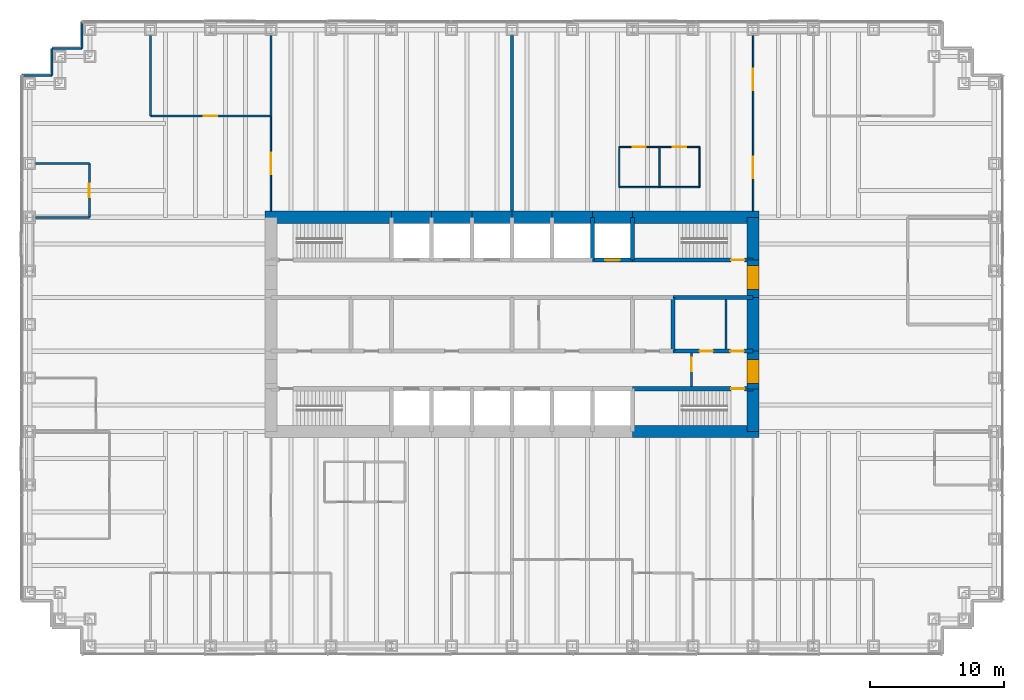
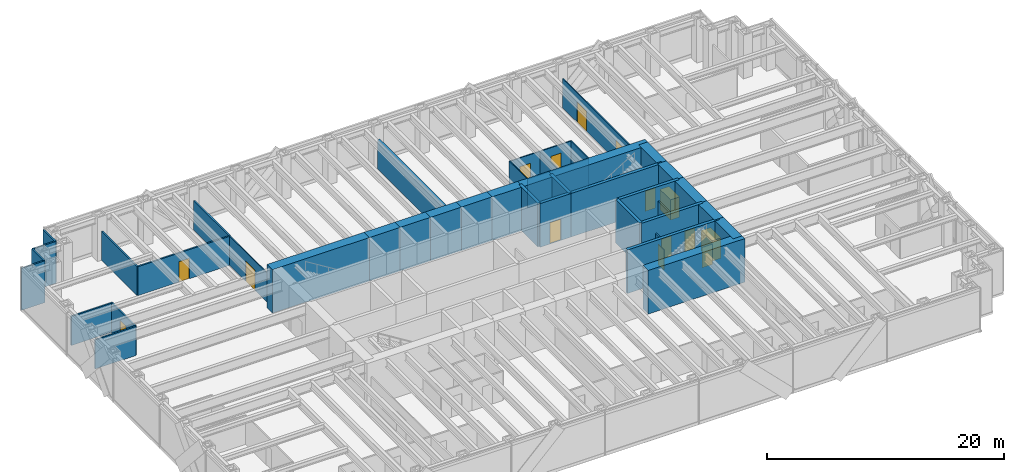
# One storey, part 11 of 13: 42 walls, 15 doors, 15 openings.
"""IFC4 building model written with IfcOpenShell, lengths in metres."""

from ifc_helpers import new_model, si_unit, direction, frame, frame_2d, origin, place, context, subcontext, project, spatial, rectangle, extrude, material, layer, layer_set, type_object, element, fill, save


model = new_model("IFC4")

# Units and contexts
model_context = context("Model", 3, precision=1e-05, world=origin(), true_north=direction((0.0, 1.0)))
body_context = subcontext(model_context, "Body", "Model", "MODEL_VIEW")
ifc_project = project(units=[si_unit("LENGTHUNIT", "METRE"), si_unit("AREAUNIT", "SQUARE_METRE"), si_unit("VOLUMEUNIT", "CUBIC_METRE"), si_unit("PLANEANGLEUNIT", "RADIAN"), si_unit("MASSUNIT", "GRAM", prefix="KILO")], contexts=[model_context])

# Site, building, storey
site_placement = place(None, origin())
site = spatial("IfcSite", under=ifc_project, at=site_placement, CompositionType="ELEMENT")
building_placement = place(site_placement, origin())
building = spatial("IfcBuilding", under=site, at=building_placement, Name="Rheinbord Bourse Tower", CompositionType="ELEMENT")
storey_placement = place(building_placement, frame((0.0, 0.0, 50.0)))
storey = spatial("IfcBuildingStorey", under=building, at=storey_placement, Name="L10", CompositionType="ELEMENT", Elevation=50.0)

# Wall, opening, door
ifc_material_1 = material(Name="Concrete C50/60", Category="concrete")
ifc_layer_1 = layer(ifc_material_1, 0.300048828125)
ifc_layer_set_1 = layer_set([ifc_layer_1], Name="CORE INNER WALL 300")
wall_type_1 = type_object("IfcWallType", Name="CORE INNER WALL 300", PredefinedType="SOLIDWALL", material=ifc_layer_set_1)
wall_1_placement = place(storey_placement, frame((45.0, 19.199951171875, 0.0), z_axis=(0.0, 0.0, 1.0), x_axis=(1.0, 0.0, 0.0)))
wall_1 = element("IfcWall", 1, at=wall_1_placement, inside=storey, type_object=wall_type_1, Name="Core wall A8 L10", PredefinedType="SOLIDWALL", context=body_context, shape_type="SweptSolid", body=[
    extrude(rectangle(XDim=9.0, YDim=0.300048828125, at=frame_2d((4.5, 0.0))), origin(), (0.0, 0.0, 1.0), 4.5),
])
opening_1_placement = place(wall_1_placement, frame((7.35009765625, 0.0, 0.0)))
opening_1 = element("IfcOpeningElement", 2, at=opening_1_placement, cuts=wall_1, Name="Opening 1030", PredefinedType="OPENING", context=body_context, shape_type="SweptSolid", body=[
    extrude(rectangle(XDim=1.0, YDim=2.10009765625, at=frame_2d((0.5, 1.050048828125))), frame((0.0, 0.159912109375, 0.0), z_axis=(0.0, -1.0, 0.0), x_axis=(1.0, 0.0, 0.0)), (0.0, 0.0, 1.0), 0.320068359375),
])
ifc_material_2 = material(Name="Steel door", Category="steel")
door_type_1 = type_object("IfcDoorType", Name="DOOR 1000 EI30", OperationType="SINGLE_SWING_LEFT", PredefinedType="DOOR", material=ifc_material_2)
door_1_placement = place(opening_1_placement, origin())
door_1 = element("IfcDoor", 3, at=door_1_placement, inside=storey, type_object=door_type_1, Name="Stair door ST3 L10", OperationType="SINGLE_SWING_RIGHT", OverallHeight=2.10009765625, OverallWidth=1.0, PredefinedType="DOOR", context=body_context, shape_type="SweptSolid", body=[
    extrude(rectangle(XDim=1.0, YDim=2.10009765625, at=frame_2d((0.5, 1.050048828125))), frame((0.0, 0.02490234375, 0.0), z_axis=(0.0, -1.0, 0.0), x_axis=(1.0, 0.0, 0.0)), (0.0, 0.0, 1.0), 0.050048828125),
])
fill(opening_1, door_1)

wall_2_placement = place(storey_placement, frame((42.0, 28.800048828125, 0.0), z_axis=(0.0, 0.0, 1.0), x_axis=(1.0, 0.0, 0.0)))
wall_2 = element("IfcWall", 4, at=wall_2_placement, inside=storey, type_object=wall_type_1, Name="Core wall B7 L10", PredefinedType="SOLIDWALL", context=body_context, shape_type="SweptSolid", body=[
    extrude(rectangle(XDim=3.0, YDim=0.300048828125, at=frame_2d((1.5, 0.0))), origin(), (0.0, 0.0, 1.0), 4.5),
])
opening_2_placement = place(wall_2_placement, frame((0.949951171875, 0.0, 0.0)))
opening_2 = element("IfcOpeningElement", 5, at=opening_2_placement, cuts=wall_2, Name="Opening FL2", PredefinedType="OPENING", context=body_context, shape_type="SweptSolid", body=[
    extrude(rectangle(XDim=1.10009765625, YDim=2.199951171875, at=frame_2d((0.550048828125, 1.10009765625))), frame((0.0, 0.159912109375, 0.0), z_axis=(0.0, -1.0, 0.0), x_axis=(1.0, 0.0, 0.0)), (0.0, 0.0, 1.0), 0.320068359375),
])
ifc_material_3 = material(Name="Steel landing door", Category="steel")
door_type_2 = type_object("IfcDoorType", Name="LIFT LANDING DOOR 1100", OperationType="DOUBLE_DOOR_SLIDING", PredefinedType="USERDEFINED", material=ifc_material_3)
door_2_placement = place(opening_2_placement, origin())
door_2 = element("IfcDoor", 6, at=door_2_placement, inside=storey, type_object=door_type_2, Name="Lift landing door FL2 L10", ObjectType="LIFT LANDING DOOR", OperationType="DOUBLE_DOOR_SLIDING", OverallHeight=2.199951171875, OverallWidth=1.10009765625, PredefinedType="USERDEFINED", context=body_context, shape_type="SweptSolid", body=[
    extrude(rectangle(XDim=1.10009765625, YDim=2.199951171875, at=frame_2d((0.550048828125, 1.10009765625))), frame((0.0, 0.02490234375, 0.0), z_axis=(0.0, -1.0, 0.0), x_axis=(1.0, 0.0, 0.0)), (0.0, 0.0, 1.0), 0.050048828125),
])
fill(opening_2, door_2)

wall_3_placement = place(storey_placement, frame((45.0, 28.800048828125, 0.0), z_axis=(0.0, 0.0, 1.0), x_axis=(1.0, 0.0, 0.0)))
wall_3 = element("IfcWall", 7, at=wall_3_placement, inside=storey, type_object=wall_type_1, Name="Core wall B8 L10", PredefinedType="SOLIDWALL", context=body_context, shape_type="SweptSolid", body=[
    extrude(rectangle(XDim=9.0, YDim=0.300048828125, at=frame_2d((4.5, 0.0))), origin(), (0.0, 0.0, 1.0), 4.5),
])
opening_3_placement = place(wall_3_placement, frame((7.35009765625, 0.0, 0.0)))
opening_3 = element("IfcOpeningElement", 8, at=opening_3_placement, cuts=wall_3, Name="Opening 1040", PredefinedType="OPENING", context=body_context, shape_type="SweptSolid", body=[
    extrude(rectangle(XDim=1.0, YDim=2.10009765625, at=frame_2d((0.5, 1.050048828125))), frame((0.0, 0.159912109375, 0.0), z_axis=(0.0, -1.0, 0.0), x_axis=(1.0, 0.0, 0.0)), (0.0, 0.0, 1.0), 0.320068359375),
])
door_3_placement = place(opening_3_placement, origin())
door_3 = element("IfcDoor", 9, at=door_3_placement, inside=storey, type_object=door_type_1, Name="Stair door ST4 L10", OperationType="SINGLE_SWING_RIGHT", OverallHeight=2.10009765625, OverallWidth=1.0, PredefinedType="DOOR", context=body_context, shape_type="SweptSolid", body=[
    extrude(rectangle(XDim=1.0, YDim=2.10009765625, at=frame_2d((0.5, 1.050048828125))), frame((0.0, 0.02490234375, 0.0), z_axis=(0.0, -1.0, 0.0), x_axis=(1.0, 0.0, 0.0)), (0.0, 0.0, 1.0), 0.050048828125),
])
fill(opening_3, door_3)

# Wall, openings, doors
wall_4_placement = place(storey_placement, frame((48.0, 22.0, 0.0), z_axis=(0.0, 0.0, 1.0), x_axis=(1.0, 0.0, 0.0)))
wall_4 = element("IfcWall", 10, at=wall_4_placement, inside=storey, type_object=wall_type_1, Name="Core wall C6 L10", PredefinedType="SOLIDWALL", context=body_context, shape_type="SweptSolid", body=[
    extrude(rectangle(XDim=6.0, YDim=0.300048828125, at=frame_2d((3.0, 0.0))), origin(), (0.0, 0.0, 1.0), 4.5),
])
opening_4_placement = place(wall_4_placement, frame((2.0, 0.0, 0.0)))
opening_4 = element("IfcOpeningElement", 11, at=opening_4_placement, cuts=wall_4, Name="Opening 10R6", PredefinedType="OPENING", context=body_context, shape_type="SweptSolid", body=[
    extrude(rectangle(XDim=1.0, YDim=2.10009765625, at=frame_2d((0.5, 1.050048828125))), frame((0.0, 0.159912109375, 0.0), z_axis=(0.0, -1.0, 0.0), x_axis=(1.0, 0.0, 0.0)), (0.0, 0.0, 1.0), 0.320068359375),
])
opening_5_placement = place(wall_4_placement, frame((4.300048828125, 0.0, 0.0)))
opening_5 = element("IfcOpeningElement", 12, at=opening_5_placement, cuts=wall_4, Name="Opening 10R10", PredefinedType="OPENING", context=body_context, shape_type="SweptSolid", body=[
    extrude(rectangle(XDim=1.0, YDim=2.10009765625, at=frame_2d((0.5, 1.050048828125))), frame((0.0, 0.159912109375, 0.0), z_axis=(0.0, -1.0, 0.0), x_axis=(1.0, 0.0, 0.0)), (0.0, 0.0, 1.0), 0.320068359375),
])
door_4_placement = place(opening_5_placement, origin())
door_4 = element("IfcDoor", 13, at=door_4_placement, inside=storey, type_object=door_type_1, Name="Cleaner's store door L10", OperationType="SINGLE_SWING_RIGHT", OverallHeight=2.10009765625, OverallWidth=1.0, PredefinedType="DOOR", context=body_context, shape_type="SweptSolid", body=[
    extrude(rectangle(XDim=1.0, YDim=2.10009765625, at=frame_2d((0.5, 1.050048828125))), frame((0.0, 0.02490234375, 0.0), z_axis=(0.0, -1.0, 0.0), x_axis=(1.0, 0.0, 0.0)), (0.0, 0.0, 1.0), 0.050048828125),
])
fill(opening_5, door_4)
ifc_material_4 = material(Name="Timber door", Category="wood")
door_type_3 = type_object("IfcDoorType", Name="DOOR 1000 WC", OperationType="SINGLE_SWING_LEFT", PredefinedType="DOOR", material=ifc_material_4)
door_5_placement = place(opening_4_placement, origin())
door_5 = element("IfcDoor", 14, at=door_5_placement, inside=storey, type_object=door_type_3, Name="WC women door L10", OperationType="SINGLE_SWING_LEFT", OverallHeight=2.10009765625, OverallWidth=1.0, PredefinedType="DOOR", context=body_context, shape_type="SweptSolid", body=[
    extrude(rectangle(XDim=1.0, YDim=2.10009765625, at=frame_2d((0.5, 1.050048828125))), frame((0.0, 0.02490234375, 0.0), z_axis=(0.0, -1.0, 0.0), x_axis=(1.0, 0.0, 0.0)), (0.0, 0.0, 1.0), 0.050048828125),
])
fill(opening_4, door_5)

# Walls
wall_5_placement = place(storey_placement, frame((48.0, 26.0, 0.0), z_axis=(0.0, 0.0, 1.0), x_axis=(1.0, 0.0, 0.0)))
element("IfcWall", 15, at=wall_5_placement, inside=storey, type_object=wall_type_1, Name="Core wall D6 L10", PredefinedType="SOLIDWALL", context=body_context, shape_type="SweptSolid", body=[
    extrude(rectangle(XDim=6.0, YDim=0.300048828125, at=frame_2d((3.0, 0.0))), origin(), (0.0, 0.0, 1.0), 4.5),
])
for number, where, z_axis, x_axis, name in (
    (16, (42.0, 28.800048828125, 0.0), (0.0, 0.0, 1.0), (0.0, 1.0, 0.0), "Core wall NX42 L10"),
    (17, (45.0, 28.800048828125, 0.0), (0.0, 0.0, 1.0), (0.0, 1.0, 0.0), "Core wall NX45 L10"),
):
    element("IfcWall", number, at=place(storey_placement, frame(where, z_axis=z_axis, x_axis=x_axis)), inside=storey, type_object=wall_type_1, Name=name, PredefinedType="SOLIDWALL", context=body_context, shape_type="SweptSolid", body=[
        extrude(rectangle(XDim=3.199951171875, YDim=0.300048828125, at=frame_2d((1.60009765625, 0.0))), origin(), (0.0, 0.0, 1.0), 4.5),
    ])
wall_6_placement = place(storey_placement, frame((48.0, 22.0, 0.0), z_axis=(0.0, 0.0, 1.0), x_axis=(0.0, 1.0, 0.0)))
element("IfcWall", 18, at=wall_6_placement, inside=storey, type_object=wall_type_1, Name="Core wall MX48 L10", PredefinedType="SOLIDWALL", context=body_context, shape_type="SweptSolid", body=[
    extrude(rectangle(XDim=4.0, YDim=0.300048828125, at=frame_2d((2.0, 0.0))), origin(), (0.0, 0.0, 1.0), 4.5),
])
ifc_material_5 = material(Name="Gypsum board fire partition", Category="gypsum board")
ifc_layer_2 = layer(ifc_material_5, 0.14990234375)
ifc_layer_set_2 = layer_set([ifc_layer_2], Name="CORE PARTITION 150 EI30")
wall_type_2 = type_object("IfcWallType", Name="CORE PARTITION 150 EI30", PredefinedType="PARTITIONING", material=ifc_layer_set_2)
wall_7_placement = place(storey_placement, frame((51.97509765625, 22.14990234375, 0.0), z_axis=(0.0, 0.0, 1.0), x_axis=(0.0, 1.0, 0.0)))
element("IfcWall", 19, at=wall_7_placement, inside=storey, type_object=wall_type_2, Name="Core partition L10-3", PredefinedType="PARTITIONING", context=body_context, shape_type="SweptSolid", body=[
    extrude(rectangle(XDim=3.7001953125, YDim=0.14990234375, at=frame_2d((1.85009765625, 0.0))), origin(), (0.0, 0.0, 1.0), 3.0),
])

# Wall, opening, door
wall_8_placement = place(storey_placement, frame((49.39990234375, 19.35009765625, 0.0), z_axis=(0.0, 0.0, 1.0), x_axis=(0.0, 1.0, 0.0)))
wall_8 = element("IfcWall", 20, at=wall_8_placement, inside=storey, type_object=wall_type_2, Name="Core partition L10-4", PredefinedType="PARTITIONING", context=body_context, shape_type="SweptSolid", body=[
    extrude(rectangle(XDim=2.5, YDim=0.14990234375, at=frame_2d((1.25, 0.0))), origin(), (0.0, 0.0, 1.0), 3.0),
])
opening_6_placement = place(wall_8_placement, frame((1.14990234375, 0.0, 0.0)))
opening_6 = element("IfcOpeningElement", 21, at=opening_6_placement, cuts=wall_8, Name="Opening 10L5", PredefinedType="OPENING", context=body_context, shape_type="SweptSolid", body=[
    extrude(rectangle(XDim=1.0, YDim=2.10009765625, at=frame_2d((0.5, 1.050048828125))), frame((0.0, 0.0849609375, 0.0), z_axis=(0.0, -1.0, 0.0), x_axis=(1.0, 0.0, 0.0)), (0.0, 0.0, 1.0), 0.169921875),
])
door_6_placement = place(opening_6_placement, origin())
door_6 = element("IfcDoor", 22, at=door_6_placement, inside=storey, type_object=door_type_1, Name="Stair lobby door L10", OperationType="SINGLE_SWING_RIGHT", OverallHeight=2.10009765625, OverallWidth=1.0, PredefinedType="DOOR", context=body_context, shape_type="SweptSolid", body=[
    extrude(rectangle(XDim=1.0, YDim=2.10009765625, at=frame_2d((0.5, 1.050048828125))), frame((0.0, 0.02490234375, 0.0), z_axis=(0.0, -1.0, 0.0), x_axis=(1.0, 0.0, 0.0)), (0.0, 0.0, 1.0), 0.050048828125),
])
fill(opening_6, door_6)

# Walls
ifc_material_6 = material(Name="Concrete C50/60", Category="concrete")
ifc_layer_3 = layer(ifc_material_6, 0.89990234375)
ifc_layer_set_3 = layer_set([ifc_layer_3], Name="CORE WALL 900")
wall_type_3 = type_object("IfcWallType", Name="CORE WALL 900", PredefinedType="SHEAR", material=ifc_layer_set_3)
for number, where, z_axis, x_axis, name in (
    (23, (45.0, 16.0, 0.0), (0.0, 0.0, 1.0), (1.0, 0.0, 0.0), "Core wall S8 L10"),
    (24, (54.449951171875, 32.0, 0.0), (0.0, 0.0, 1.0), (-1.0, 0.0, 0.0), "Core wall N1 L10"),
):
    element("IfcWall", number, at=place(storey_placement, frame(where, z_axis=z_axis, x_axis=x_axis)), inside=storey, type_object=wall_type_3, Name=name, PredefinedType="SHEAR", context=body_context, shape_type="SweptSolid", body=[
        extrude(rectangle(XDim=9.449951171875, YDim=0.89990234375, at=frame_2d((4.72509765625, 0.0))), origin(), (0.0, 0.0, 1.0), 4.5),
    ])
for number, where, z_axis, x_axis, name in (
    (25, (45.0, 32.0, 0.0), (0.0, 0.0, 1.0), (-1.0, 0.0, 0.0), "Core wall N2 L10"),
    (26, (42.0, 32.0, 0.0), (0.0, 0.0, 1.0), (-1.0, 0.0, 0.0), "Core wall N3 L10"),
    (27, (39.0, 32.0, 0.0), (0.0, 0.0, 1.0), (-1.0, 0.0, 0.0), "Core wall N4 L10"),
    (28, (36.0, 32.0, 0.0), (0.0, 0.0, 1.0), (-1.0, 0.0, 0.0), "Core wall N5 L10"),
    (29, (33.0, 32.0, 0.0), (0.0, 0.0, 1.0), (-1.0, 0.0, 0.0), "Core wall N6 L10"),
    (30, (30.0, 32.0, 0.0), (0.0, 0.0, 1.0), (-1.0, 0.0, 0.0), "Core wall N7 L10"),
):
    element("IfcWall", number, at=place(storey_placement, frame(where, z_axis=z_axis, x_axis=x_axis)), inside=storey, type_object=wall_type_3, Name=name, PredefinedType="SHEAR", context=body_context, shape_type="SweptSolid", body=[
        extrude(rectangle(XDim=3.0, YDim=0.89990234375, at=frame_2d((1.5, 0.0))), origin(), (0.0, 0.0, 1.0), 4.5),
    ])
wall_9_placement = place(storey_placement, frame((27.0, 32.0, 0.0), z_axis=(0.0, 0.0, 1.0), x_axis=(-1.0, 0.0, 0.0)))
element("IfcWall", 31, at=wall_9_placement, inside=storey, type_object=wall_type_3, Name="Core wall N8 L10", PredefinedType="SHEAR", context=body_context, shape_type="SweptSolid", body=[
    extrude(rectangle(XDim=9.449951171875, YDim=0.89990234375, at=frame_2d((4.72509765625, 0.0))), origin(), (0.0, 0.0, 1.0), 4.5),
])
wall_10_placement = place(storey_placement, frame((54.0, 16.0, 0.0), z_axis=(0.0, 0.0, 1.0), x_axis=(0.0, 1.0, 0.0)))
element("IfcWall", 32, at=wall_10_placement, inside=storey, type_object=wall_type_3, Name="Core wall E1 L10", PredefinedType="SHEAR", context=body_context, shape_type="SweptSolid", body=[
    extrude(rectangle(XDim=3.199951171875, YDim=0.89990234375, at=frame_2d((1.60009765625, 0.0))), origin(), (0.0, 0.0, 1.0), 4.5),
])

# Wall, opening, door
wall_11_placement = place(storey_placement, frame((54.0, 19.199951171875, 0.0), z_axis=(0.0, 0.0, 1.0), x_axis=(0.0, 1.0, 0.0)))
wall_11 = element("IfcWall", 33, at=wall_11_placement, inside=storey, type_object=wall_type_3, Name="Core wall E2 L10", PredefinedType="SHEAR", context=body_context, shape_type="SweptSolid", body=[
    extrude(rectangle(XDim=2.800048828125, YDim=0.89990234375, at=frame_2d((1.39990234375, 0.0))), origin(), (0.0, 0.0, 1.0), 4.5),
])
opening_7_placement = place(wall_11_placement, frame((0.39990234375, 0.0, 0.0)))
opening_7 = element("IfcOpeningElement", 34, at=opening_7_placement, cuts=wall_11, Name="Opening 10L3", PredefinedType="OPENING", context=body_context, shape_type="SweptSolid", body=[
    extrude(rectangle(XDim=1.800048828125, YDim=2.10009765625, at=frame_2d((0.89990234375, 1.050048828125))), frame((0.0, 0.4599609375, 0.0), z_axis=(0.0, -1.0, 0.0), x_axis=(1.0, 0.0, 0.0)), (0.0, 0.0, 1.0), 0.919921875),
])
ifc_material_7 = material(Name="Steel door", Category="steel")
door_type_4 = type_object("IfcDoorType", Name="DOOR 1800 EI30 DOUBLE", OperationType="DOUBLE_DOOR_DOUBLE_SWING", PredefinedType="DOOR", material=ifc_material_7)
door_7_placement = place(opening_7_placement, origin())
door_7 = element("IfcDoor", 35, at=door_7_placement, inside=storey, type_object=door_type_4, Name="Lobby door 3 L10", OperationType="SINGLE_SWING_LEFT", OverallHeight=2.10009765625, OverallWidth=1.800048828125, PredefinedType="DOOR", context=body_context, shape_type="SweptSolid", body=[
    extrude(rectangle(XDim=1.800048828125, YDim=2.10009765625, at=frame_2d((0.89990234375, 1.050048828125))), frame((0.0, 0.44970703125, 0.0), z_axis=(0.0, -1.0, 0.0), x_axis=(1.0, 0.0, 0.0)), (0.0, 0.0, 1.0), 0.8994140625),
])
fill(opening_7, door_7)

# Wall
wall_12_placement = place(storey_placement, frame((54.0, 22.0, 0.0), z_axis=(0.0, 0.0, 1.0), x_axis=(0.0, 1.0, 0.0)))
element("IfcWall", 36, at=wall_12_placement, inside=storey, type_object=wall_type_3, Name="Core wall E3 L10", PredefinedType="SHEAR", context=body_context, shape_type="SweptSolid", body=[
    extrude(rectangle(XDim=4.0, YDim=0.89990234375, at=frame_2d((2.0, 0.0))), origin(), (0.0, 0.0, 1.0), 4.5),
])

# Wall, opening, door
wall_13_placement = place(storey_placement, frame((54.0, 26.0, 0.0), z_axis=(0.0, 0.0, 1.0), x_axis=(0.0, 1.0, 0.0)))
wall_13 = element("IfcWall", 37, at=wall_13_placement, inside=storey, type_object=wall_type_3, Name="Core wall E4 L10", PredefinedType="SHEAR", context=body_context, shape_type="SweptSolid", body=[
    extrude(rectangle(XDim=2.800048828125, YDim=0.89990234375, at=frame_2d((1.39990234375, 0.0))), origin(), (0.0, 0.0, 1.0), 4.5),
])
opening_8_placement = place(wall_13_placement, frame((0.60009765625, 0.0, 0.0)))
opening_8 = element("IfcOpeningElement", 38, at=opening_8_placement, cuts=wall_13, Name="Opening 10L4", PredefinedType="OPENING", context=body_context, shape_type="SweptSolid", body=[
    extrude(rectangle(XDim=1.800048828125, YDim=2.10009765625, at=frame_2d((0.89990234375, 1.050048828125))), frame((0.0, 0.4599609375, 0.0), z_axis=(0.0, -1.0, 0.0), x_axis=(1.0, 0.0, 0.0)), (0.0, 0.0, 1.0), 0.919921875),
])
door_8_placement = place(opening_8_placement, origin())
door_8 = element("IfcDoor", 39, at=door_8_placement, inside=storey, type_object=door_type_4, Name="Lobby door 4 L10", OperationType="SINGLE_SWING_LEFT", OverallHeight=2.10009765625, OverallWidth=1.800048828125, PredefinedType="DOOR", context=body_context, shape_type="SweptSolid", body=[
    extrude(rectangle(XDim=1.800048828125, YDim=2.10009765625, at=frame_2d((0.89990234375, 1.050048828125))), frame((0.0, 0.44970703125, 0.0), z_axis=(0.0, -1.0, 0.0), x_axis=(1.0, 0.0, 0.0)), (0.0, 0.0, 1.0), 0.8994140625),
])
fill(opening_8, door_8)

# Walls
wall_14_placement = place(storey_placement, frame((54.0, 28.800048828125, 0.0), z_axis=(0.0, 0.0, 1.0), x_axis=(0.0, 1.0, 0.0)))
element("IfcWall", 40, at=wall_14_placement, inside=storey, type_object=wall_type_3, Name="Core wall E5 L10", PredefinedType="SHEAR", context=body_context, shape_type="SweptSolid", body=[
    extrude(rectangle(XDim=3.199951171875, YDim=0.89990234375, at=frame_2d((1.60009765625, 0.0))), origin(), (0.0, 0.0, 1.0), 4.5),
])
ifc_material_8 = material(Name="Black metal rainscreen panel", Category="aluminium")
ifc_layer_4 = layer(ifc_material_8, 0.14990234375)
ifc_layer_set_4 = layer_set([ifc_layer_4], Name="CORNER PIER CLADDING 150")
wall_type_4 = type_object("IfcWallType", Name="CORNER PIER CLADDING 150", PredefinedType="ELEMENTEDWALL", material=ifc_layer_set_4)
wall_15_placement = place(storey_placement, frame((3.89990234375, 46.60009765625, 0.0), z_axis=(0.0, 0.0, 1.0), x_axis=(0.0, -1.0, 0.0)))
element("IfcWall", 41, at=wall_15_placement, inside=storey, type_object=wall_type_4, Name="Corner pier cladding L10 12", PredefinedType="ELEMENTEDWALL", context=body_context, shape_type="SweptSolid", body=[
    extrude(rectangle(XDim=2.0, YDim=0.14990234375, at=frame_2d((1.0, 0.0))), origin(), (0.0, 0.0, 1.0), 4.320068359375),
])
wall_16_placement = place(storey_placement, frame((3.89990234375, 44.60009765625, 0.0), z_axis=(0.0, 0.0, 1.0), x_axis=(-1.0, 0.0, 0.0)))
element("IfcWall", 42, at=wall_16_placement, inside=storey, type_object=wall_type_4, Name="Corner pier cladding L10 13", PredefinedType="ELEMENTEDWALL", context=body_context, shape_type="SweptSolid", body=[
    extrude(rectangle(XDim=2.25, YDim=0.14990234375, at=frame_2d((1.125, 0.0))), origin(), (0.0, 0.0, 1.0), 4.320068359375),
])
wall_17_placement = place(storey_placement, frame((1.64990234375, 44.60009765625, 0.0), z_axis=(0.0, 0.0, 1.0), x_axis=(0.0, -1.0, 0.0)))
element("IfcWall", 43, at=wall_17_placement, inside=storey, type_object=wall_type_4, Name="Corner pier cladding L10 14", PredefinedType="ELEMENTEDWALL", context=body_context, shape_type="SweptSolid", body=[
    extrude(rectangle(XDim=2.0, YDim=0.14990234375, at=frame_2d((1.0, 0.0))), origin(), (0.0, 0.0, 1.0), 4.320068359375),
])
wall_18_placement = place(storey_placement, frame((1.64990234375, 42.60009765625, 0.0), z_axis=(0.0, 0.0, 1.0), x_axis=(-1.0, 0.0, 0.0)))
element("IfcWall", 44, at=wall_18_placement, inside=storey, type_object=wall_type_4, Name="Corner pier cladding L10 15", PredefinedType="ELEMENTEDWALL", context=body_context, shape_type="SweptSolid", body=[
    extrude(rectangle(XDim=2.25, YDim=0.14990234375, at=frame_2d((1.125, 0.0))), origin(), (0.0, 0.0, 1.0), 4.320068359375),
])
ifc_material_9 = material(Name="Gypsum board tenancy wall", Category="gypsum board")
ifc_layer_5 = layer(ifc_material_9, 0.25)
ifc_layer_set_5 = layer_set([ifc_layer_5], Name="DEMISING PARTITION 250 EI60")
wall_type_5 = type_object("IfcWallType", Name="DEMISING PARTITION 250 EI60", PredefinedType="PARTITIONING", material=ifc_layer_set_5)
wall_19_placement = place(storey_placement, frame((36.0, 32.449951171875, 0.0), z_axis=(0.0, 0.0, 1.0), x_axis=(0.0, 1.0, 0.0)))
element("IfcWall", 45, at=wall_19_placement, inside=storey, type_object=wall_type_5, Name="Partition L10-39", PredefinedType="PARTITIONING", context=body_context, shape_type="SweptSolid", body=[
    extrude(rectangle(XDim=13.10009765625, YDim=0.25, at=frame_2d((6.550048828125, 0.0))), origin(), (0.0, 0.0, 1.0), 3.0),
])
ifc_material_10 = material(Name="Gypsum board fire partition", Category="gypsum board")
ifc_layer_6 = layer(ifc_material_10, 0.14990234375)
ifc_layer_set_6 = layer_set([ifc_layer_6], Name="FIRE PARTITION 150 EI60")
wall_type_6 = type_object("IfcWallType", Name="FIRE PARTITION 150 EI60", PredefinedType="PARTITIONING", material=ifc_layer_set_6)
for number, where, z_axis, x_axis, name in (
    (46, (0.449951171875, 32.0, 0.0), (0.0, 0.0, 1.0), (1.0, 0.0, 0.0), "Partition L10-16"),
    (47, (0.449951171875, 36.0, 0.0), (0.0, 0.0, 1.0), (1.0, 0.0, 0.0), "Partition L10-19"),
):
    element("IfcWall", number, at=place(storey_placement, frame(where, z_axis=z_axis, x_axis=x_axis)), inside=storey, type_object=wall_type_6, Name=name, PredefinedType="PARTITIONING", context=body_context, shape_type="SweptSolid", body=[
        extrude(rectangle(XDim=4.0, YDim=0.14990234375, at=frame_2d((2.0, 0.0))), origin(), (0.0, 0.0, 1.0), 3.0),
    ])

# Wall, opening, door
wall_20_placement = place(storey_placement, frame((4.449951171875, 32.0, 0.0), z_axis=(0.0, 0.0, 1.0), x_axis=(0.0, 1.0, 0.0)))
wall_20 = element("IfcWall", 48, at=wall_20_placement, inside=storey, type_object=wall_type_6, Name="Partition L10-23", PredefinedType="PARTITIONING", context=body_context, shape_type="SweptSolid", body=[
    extrude(rectangle(XDim=4.0, YDim=0.14990234375, at=frame_2d((2.0, 0.0))), origin(), (0.0, 0.0, 1.0), 3.0),
])
opening_9_placement = place(wall_20_placement, frame((1.5, 0.0, 0.0)))
opening_9 = element("IfcOpeningElement", 49, at=opening_9_placement, cuts=wall_20, Name="Opening 10D16", PredefinedType="OPENING", context=body_context, shape_type="SweptSolid", body=[
    extrude(rectangle(XDim=1.0, YDim=2.10009765625, at=frame_2d((0.5, 1.050048828125))), frame((0.0, 0.0849609375, 0.0), z_axis=(0.0, -1.0, 0.0), x_axis=(1.0, 0.0, 0.0)), (0.0, 0.0, 1.0), 0.169921875),
])
ifc_material_11 = material(Name="Timber fire door", Category="wood")
door_type_5 = type_object("IfcDoorType", Name="FIRE DOOR 1000 EI60", OperationType="SINGLE_SWING_LEFT", PredefinedType="DOOR", material=ifc_material_11)
door_9_placement = place(opening_9_placement, origin())
door_9 = element("IfcDoor", 50, at=door_9_placement, inside=storey, type_object=door_type_5, Name="Comms room door L10", OperationType="SINGLE_SWING_LEFT", OverallHeight=2.10009765625, OverallWidth=1.0, PredefinedType="DOOR", context=body_context, shape_type="SweptSolid", body=[
    extrude(rectangle(XDim=1.0, YDim=2.10009765625, at=frame_2d((0.5, 1.050048828125))), frame((0.0, 0.02490234375, 0.0), z_axis=(0.0, -1.0, 0.0), x_axis=(1.0, 0.0, 0.0)), (0.0, 0.0, 1.0), 0.050048828125),
])
fill(opening_9, door_9)

# Wall
ifc_material_12 = material(Name="Toughened laminated glass partition", Category="glass")
ifc_layer_7 = layer(ifc_material_12, 0.10009765625)
ifc_layer_set_7 = layer_set([ifc_layer_7], Name="GLAZED PARTITION 100")
wall_type_7 = type_object("IfcWallType", Name="GLAZED PARTITION 100", PredefinedType="PARTITIONING", material=ifc_layer_set_7)
wall_21_placement = place(storey_placement, frame((44.0, 34.25, 0.0), z_axis=(0.0, 0.0, 1.0), x_axis=(1.0, 0.0, 0.0)))
element("IfcWall", 51, at=wall_21_placement, inside=storey, type_object=wall_type_7, Name="Partition L10-18", PredefinedType="PARTITIONING", context=body_context, shape_type="SweptSolid", body=[
    extrude(rectangle(XDim=6.0, YDim=0.10009765625, at=frame_2d((3.0, 0.0))), origin(), (0.0, 0.0, 1.0), 3.0),
])

# Wall, openings, doors
wall_22_placement = place(storey_placement, frame((44.0, 37.25, 0.0), z_axis=(0.0, 0.0, 1.0), x_axis=(1.0, 0.0, 0.0)))
wall_22 = element("IfcWall", 52, at=wall_22_placement, inside=storey, type_object=wall_type_7, Name="Partition L10-20", PredefinedType="PARTITIONING", context=body_context, shape_type="SweptSolid", body=[
    extrude(rectangle(XDim=6.0, YDim=0.10009765625, at=frame_2d((3.0, 0.0))), origin(), (0.0, 0.0, 1.0), 3.0),
])
opening_10_placement = place(wall_22_placement, frame((1.0, 0.0, 0.0)))
opening_10 = element("IfcOpeningElement", 53, at=opening_10_placement, cuts=wall_22, Name="Opening 10D17", PredefinedType="OPENING", context=body_context, shape_type="SweptSolid", body=[
    extrude(rectangle(XDim=1.0, YDim=2.10009765625, at=frame_2d((0.5, 1.050048828125))), frame((0.0, 0.06005859375, 0.0), z_axis=(0.0, -1.0, 0.0), x_axis=(1.0, 0.0, 0.0)), (0.0, 0.0, 1.0), 0.1201171875),
])
opening_11_placement = place(wall_22_placement, frame((4.0, 0.0, 0.0)))
opening_11 = element("IfcOpeningElement", 54, at=opening_11_placement, cuts=wall_22, Name="Opening 10D18", PredefinedType="OPENING", context=body_context, shape_type="SweptSolid", body=[
    extrude(rectangle(XDim=1.0, YDim=2.10009765625, at=frame_2d((0.5, 1.050048828125))), frame((0.0, 0.06005859375, 0.0), z_axis=(0.0, -1.0, 0.0), x_axis=(1.0, 0.0, 0.0)), (0.0, 0.0, 1.0), 0.1201171875),
])
ifc_material_13 = material(Name="Timber door", Category="wood")
door_type_6 = type_object("IfcDoorType", Name="ROOM DOOR 1000", OperationType="SINGLE_SWING_LEFT", PredefinedType="DOOR", material=ifc_material_13)
door_10_placement = place(opening_10_placement, origin())
door_10 = element("IfcDoor", 55, at=door_10_placement, inside=storey, type_object=door_type_6, Name="Quiet room door L10", OperationType="SINGLE_SWING_LEFT", OverallHeight=2.10009765625, OverallWidth=1.0, PredefinedType="DOOR", context=body_context, shape_type="SweptSolid", body=[
    extrude(rectangle(XDim=1.0, YDim=2.10009765625, at=frame_2d((0.5, 1.050048828125))), frame((0.0, 0.02490234375, 0.0), z_axis=(0.0, -1.0, 0.0), x_axis=(1.0, 0.0, 0.0)), (0.0, 0.0, 1.0), 0.050048828125),
])
fill(opening_10, door_10)
door_11_placement = place(opening_11_placement, origin())
door_11 = element("IfcDoor", 56, at=door_11_placement, inside=storey, type_object=door_type_6, Name="Quiet room door L10", OperationType="SINGLE_SWING_RIGHT", OverallHeight=2.10009765625, OverallWidth=1.0, PredefinedType="DOOR", context=body_context, shape_type="SweptSolid", body=[
    extrude(rectangle(XDim=1.0, YDim=2.10009765625, at=frame_2d((0.5, 1.050048828125))), frame((0.0, 0.02490234375, 0.0), z_axis=(0.0, -1.0, 0.0), x_axis=(1.0, 0.0, 0.0)), (0.0, 0.0, 1.0), 0.050048828125),
])
fill(opening_11, door_11)

# Wall, opening, door
wall_23_placement = place(storey_placement, frame((18.0, 32.449951171875, 0.0), z_axis=(0.0, 0.0, 1.0), x_axis=(0.0, 1.0, 0.0)))
wall_23 = element("IfcWall", 57, at=wall_23_placement, inside=storey, type_object=wall_type_7, Name="Partition L10-31", PredefinedType="PARTITIONING", context=body_context, shape_type="SweptSolid", body=[
    extrude(rectangle(XDim=7.10009765625, YDim=0.10009765625, at=frame_2d((3.550048828125, 0.0))), origin(), (0.0, 0.0, 1.0), 3.0),
])
opening_12_placement = place(wall_23_placement, frame((2.75, 0.0, 0.0)))
opening_12 = element("IfcOpeningElement", 58, at=opening_12_placement, cuts=wall_23, Name="Opening 10D22", PredefinedType="OPENING", context=body_context, shape_type="SweptSolid", body=[
    extrude(rectangle(XDim=1.60009765625, YDim=2.10009765625, at=frame_2d((0.800048828125, 1.050048828125))), frame((0.0, 0.06005859375, 0.0), z_axis=(0.0, -1.0, 0.0), x_axis=(1.0, 0.0, 0.0)), (0.0, 0.0, 1.0), 0.1201171875),
])
ifc_material_14 = material(Name="Timber door", Category="wood")
door_type_7 = type_object("IfcDoorType", Name="DOUBLE ROOM DOOR 1600", OperationType="DOUBLE_DOOR_DOUBLE_SWING", PredefinedType="DOOR", material=ifc_material_14)
door_12_placement = place(opening_12_placement, origin())
door_12 = element("IfcDoor", 59, at=door_12_placement, inside=storey, type_object=door_type_7, Name="Open area door L10", OperationType="SINGLE_SWING_LEFT", OverallHeight=2.10009765625, OverallWidth=1.60009765625, PredefinedType="DOOR", context=body_context, shape_type="SweptSolid", body=[
    extrude(rectangle(XDim=1.60009765625, YDim=2.10009765625, at=frame_2d((0.800048828125, 1.050048828125))), frame((0.0, 0.02490234375, 0.0), z_axis=(0.0, -1.0, 0.0), x_axis=(1.0, 0.0, 0.0)), (0.0, 0.0, 1.0), 0.050048828125),
])
fill(opening_12, door_12)

# Walls
for number, where, z_axis, x_axis, name in (
    (60, (44.0, 34.25, 0.0), (0.0, 0.0, 1.0), (0.0, 1.0, 0.0), "Partition L10-40"),
    (61, (47.0, 34.25, 0.0), (0.0, 0.0, 1.0), (0.0, 1.0, 0.0), "Partition L10-43"),
    (62, (50.0, 34.25, 0.0), (0.0, 0.0, 1.0), (0.0, 1.0, 0.0), "Partition L10-45"),
):
    element("IfcWall", number, at=place(storey_placement, frame(where, z_axis=z_axis, x_axis=x_axis)), inside=storey, type_object=wall_type_7, Name=name, PredefinedType="PARTITIONING", context=body_context, shape_type="SweptSolid", body=[
        extrude(rectangle(XDim=3.0, YDim=0.10009765625, at=frame_2d((1.5, 0.0))), origin(), (0.0, 0.0, 1.0), 3.0),
    ])

# Wall, openings, doors
wall_24_placement = place(storey_placement, frame((54.0, 32.449951171875, 0.0), z_axis=(0.0, 0.0, 1.0), x_axis=(0.0, 1.0, 0.0)))
wall_24 = element("IfcWall", 63, at=wall_24_placement, inside=storey, type_object=wall_type_7, Name="Partition L10-48", PredefinedType="PARTITIONING", context=body_context, shape_type="SweptSolid", body=[
    extrude(rectangle(XDim=13.10009765625, YDim=0.10009765625, at=frame_2d((6.550048828125, 0.0))), origin(), (0.0, 0.0, 1.0), 3.0),
])
opening_13_placement = place(wall_24_placement, frame((2.47509765625, 0.0, 0.0)))
opening_13 = element("IfcOpeningElement", 64, at=opening_13_placement, cuts=wall_24, Name="Opening 10D24", PredefinedType="OPENING", context=body_context, shape_type="SweptSolid", body=[
    extrude(rectangle(XDim=1.60009765625, YDim=2.10009765625, at=frame_2d((0.800048828125, 1.050048828125))), frame((0.0, 0.06005859375, 0.0), z_axis=(0.0, -1.0, 0.0), x_axis=(1.0, 0.0, 0.0)), (0.0, 0.0, 1.0), 0.1201171875),
])
opening_14_placement = place(wall_24_placement, frame((9.02490234375, 0.0, 0.0)))
opening_14 = element("IfcOpeningElement", 65, at=opening_14_placement, cuts=wall_24, Name="Opening 10D25", PredefinedType="OPENING", context=body_context, shape_type="SweptSolid", body=[
    extrude(rectangle(XDim=1.60009765625, YDim=2.10009765625, at=frame_2d((0.800048828125, 1.050048828125))), frame((0.0, 0.06005859375, 0.0), z_axis=(0.0, -1.0, 0.0), x_axis=(1.0, 0.0, 0.0)), (0.0, 0.0, 1.0), 0.1201171875),
])
door_13_placement = place(opening_13_placement, origin())
door_13 = element("IfcDoor", 66, at=door_13_placement, inside=storey, type_object=door_type_7, Name="Open area door L10", OperationType="SINGLE_SWING_LEFT", OverallHeight=2.10009765625, OverallWidth=1.60009765625, PredefinedType="DOOR", context=body_context, shape_type="SweptSolid", body=[
    extrude(rectangle(XDim=1.60009765625, YDim=2.10009765625, at=frame_2d((0.800048828125, 1.050048828125))), frame((0.0, 0.02490234375, 0.0), z_axis=(0.0, -1.0, 0.0), x_axis=(1.0, 0.0, 0.0)), (0.0, 0.0, 1.0), 0.050048828125),
])
fill(opening_13, door_13)
door_14_placement = place(opening_14_placement, origin())
door_14 = element("IfcDoor", 67, at=door_14_placement, inside=storey, type_object=door_type_7, Name="Open area door L10", OperationType="SINGLE_SWING_LEFT", OverallHeight=2.10009765625, OverallWidth=1.60009765625, PredefinedType="DOOR", context=body_context, shape_type="SweptSolid", body=[
    extrude(rectangle(XDim=1.60009765625, YDim=2.10009765625, at=frame_2d((0.800048828125, 1.050048828125))), frame((0.0, 0.02490234375, 0.0), z_axis=(0.0, -1.0, 0.0), x_axis=(1.0, 0.0, 0.0)), (0.0, 0.0, 1.0), 0.050048828125),
])
fill(opening_14, door_14)

# Wall, opening, door
ifc_material_15 = material(Name="Gypsum board partition", Category="gypsum board")
ifc_layer_8 = layer(ifc_material_15, 0.14990234375)
ifc_layer_set_8 = layer_set([ifc_layer_8], Name="PARTITION 150")
wall_type_8 = type_object("IfcWallType", Name="PARTITION 150", PredefinedType="PARTITIONING", material=ifc_layer_set_8)
wall_25_placement = place(storey_placement, frame((9.0, 39.550048828125, 0.0), z_axis=(0.0, 0.0, 1.0), x_axis=(1.0, 0.0, 0.0)))
wall_25 = element("IfcWall", 68, at=wall_25_placement, inside=storey, type_object=wall_type_8, Name="Partition L10-21", PredefinedType="PARTITIONING", context=body_context, shape_type="SweptSolid", body=[
    extrude(rectangle(XDim=9.0, YDim=0.14990234375, at=frame_2d((4.5, 0.0))), origin(), (0.0, 0.0, 1.0), 3.0),
])
opening_15_placement = place(wall_25_placement, frame((4.0, 0.0, 0.0)))
opening_15 = element("IfcOpeningElement", 69, at=opening_15_placement, cuts=wall_25, Name="Opening 10D19", PredefinedType="OPENING", context=body_context, shape_type="SweptSolid", body=[
    extrude(rectangle(XDim=1.0, YDim=2.10009765625, at=frame_2d((0.5, 1.050048828125))), frame((0.0, 0.0849609375, 0.0), z_axis=(0.0, -1.0, 0.0), x_axis=(1.0, 0.0, 0.0)), (0.0, 0.0, 1.0), 0.169921875),
])
door_15_placement = place(opening_15_placement, origin())
door_15 = element("IfcDoor", 70, at=door_15_placement, inside=storey, type_object=door_type_6, Name="Head of desk office door L10", OperationType="SINGLE_SWING_LEFT", OverallHeight=2.10009765625, OverallWidth=1.0, PredefinedType="DOOR", context=body_context, shape_type="SweptSolid", body=[
    extrude(rectangle(XDim=1.0, YDim=2.10009765625, at=frame_2d((0.5, 1.050048828125))), frame((0.0, 0.02490234375, 0.0), z_axis=(0.0, -1.0, 0.0), x_axis=(1.0, 0.0, 0.0)), (0.0, 0.0, 1.0), 0.050048828125),
])
fill(opening_15, door_15)

# Walls
for number, where, z_axis, x_axis, name in (
    (71, (9.0, 39.550048828125, 0.0), (0.0, 0.0, 1.0), (0.0, 1.0, 0.0), "Partition L10-27"),
    (72, (18.0, 39.550048828125, 0.0), (0.0, 0.0, 1.0), (0.0, 1.0, 0.0), "Partition L10-32"),
):
    element("IfcWall", number, at=place(storey_placement, frame(where, z_axis=z_axis, x_axis=x_axis)), inside=storey, type_object=wall_type_8, Name=name, PredefinedType="PARTITIONING", context=body_context, shape_type="SweptSolid", body=[
        extrude(rectangle(XDim=6.0, YDim=0.14990234375, at=frame_2d((3.0, 0.0))), origin(), (0.0, 0.0, 1.0), 3.0),
    ])

save(model, "model.ifc")
